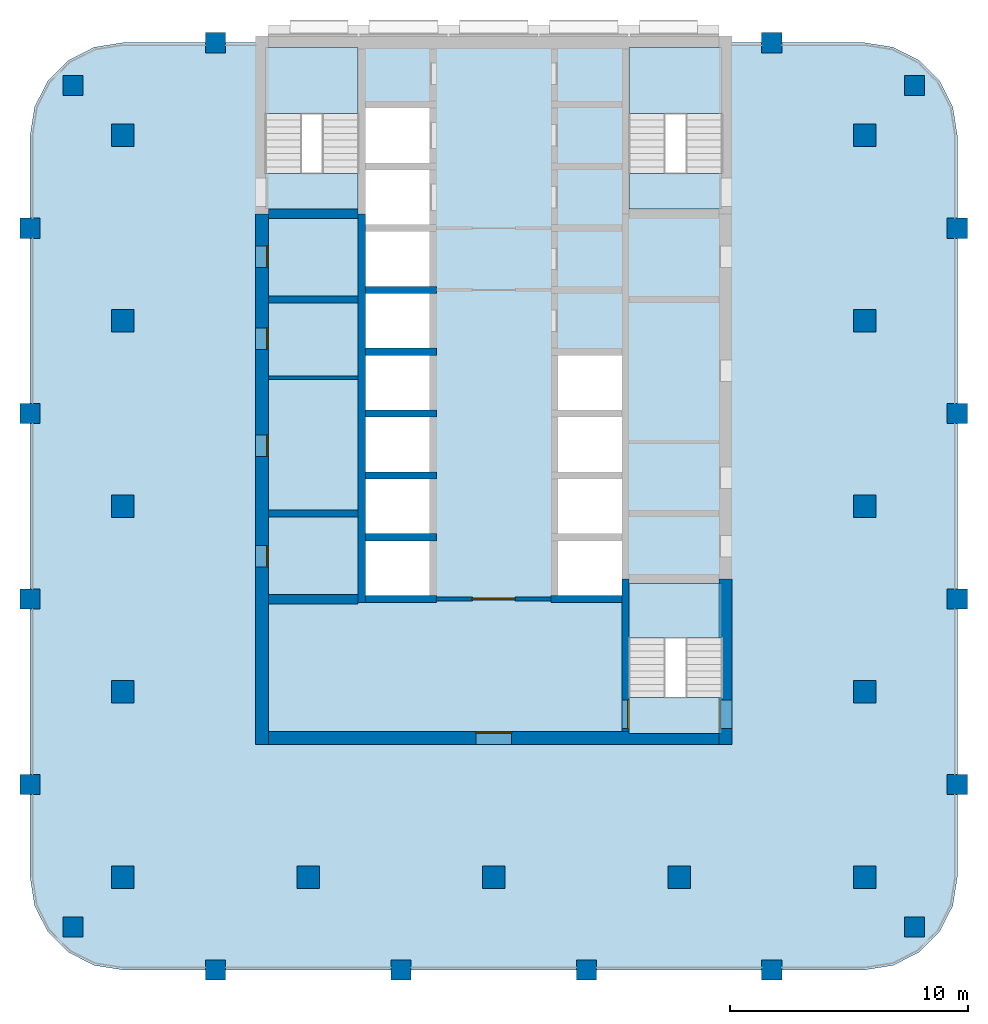
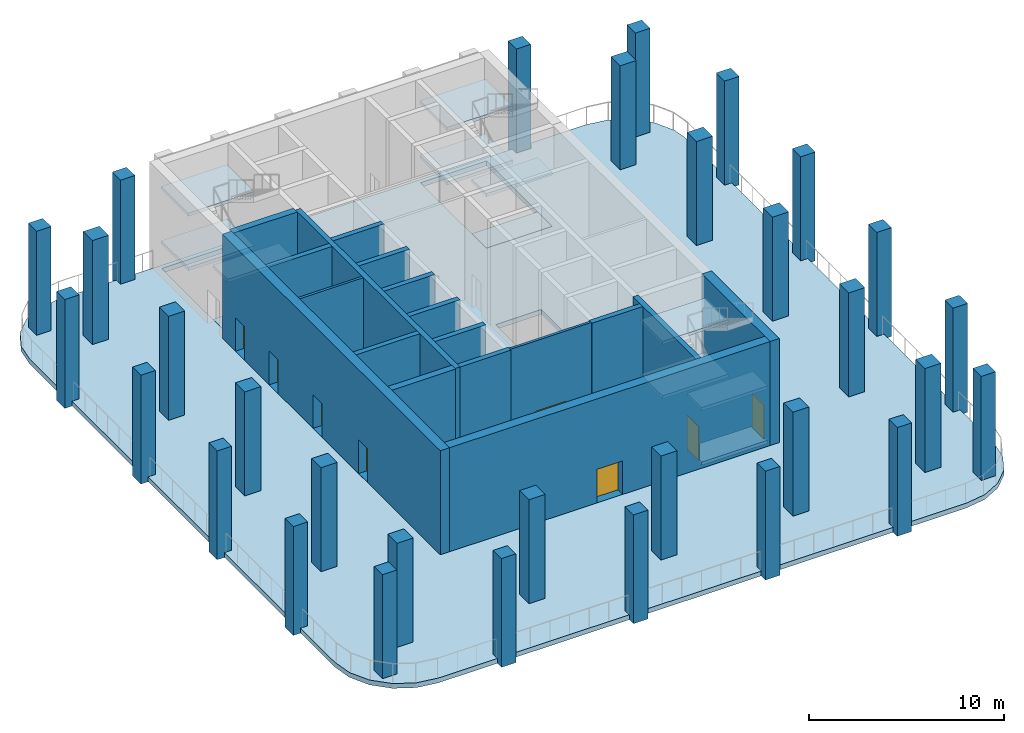
# One storey, part 1 of 10: 31 columns, 18 walls, 13 slabs, 8 doors, 8 openings, 3 elements without a shape of their own.
"""IFC4 building model written with IfcOpenShell, lengths in metres."""

from ifc_helpers import new_model, si_unit, direction, frame, frame_2d, origin, origin_2d, place, context, subcontext, project, spatial, polyline, rectangle, outline, extrude, material, layer, layer_set, material_profile, profile_set, type_object, element, fill, aggregate, save


model = new_model("IFC4")

# Units and contexts
model_context = context("Model", 3, precision=1e-05, world=origin(), true_north=direction((0.0, 1.0)))
body_context = subcontext(model_context, "Body", "Model", "MODEL_VIEW")
ifc_project = project(units=[si_unit("LENGTHUNIT", "METRE"), si_unit("AREAUNIT", "SQUARE_METRE"), si_unit("VOLUMEUNIT", "CUBIC_METRE"), si_unit("PLANEANGLEUNIT", "RADIAN"), si_unit("MASSUNIT", "GRAM", prefix="KILO")], contexts=[model_context])

# Site, building, storey
site_placement = place(None, origin())
site = spatial("IfcSite", under=ifc_project, at=site_placement, CompositionType="ELEMENT")
building_placement = place(site_placement, origin())
building = spatial("IfcBuilding", under=site, at=building_placement, Name="Ludao Terraces", CompositionType="ELEMENT")
storey_placement = place(building_placement, frame((0.0, 0.0, 116.89990234375)))
storey = spatial("IfcBuildingStorey", under=building, at=storey_placement, Name="L32", CompositionType="ELEMENT", Elevation=116.89990234375)

# Columns
ifc_material_1 = material(Name="Concrete C50", Category="concrete")
ifc_material_profile_1 = material_profile(ifc_material_1, rectangle(XDim=0.85009765625, YDim=0.85009765625, at=origin_2d()), Name="850 X 850")
ifc_profile_set_1 = profile_set([ifc_material_profile_1], Name="Concrete C50")
column_type_1 = type_object("IfcColumnType", Name="RC column 850x850 C50", PredefinedType="COLUMN", material=ifc_profile_set_1)
for number, where, z_axis, x_axis, name in (
    (1, (67.300048828125, 47.300048828125, -0.2998046875), (0.0, 0.0, 1.0), (1.0, 0.0, 0.0), "Column L32 C0057x0057"),
    (2, (102.699951171875, 47.300048828125, -0.2998046875), (0.0, 0.0, 1.0), (1.0, 0.0, 0.0), "Column L32 C0411x0057"),
    (3, (67.300048828125, 82.699951171875, -0.2998046875), (0.0, 0.0, 1.0), (1.0, 0.0, 0.0), "Column L32 C0057x0411"),
    (4, (102.699951171875, 82.699951171875, -0.2998046875), (0.0, 0.0, 1.0), (1.0, 0.0, 0.0), "Column L32 C0411x0411"),
    (5, (65.5, 53.300048828125, -0.2998046875), (0.0, 0.0, 1.0), (1.0, 0.0, 0.0), "Column L32 W0039x0117"),
    (6, (104.5, 53.300048828125, -0.2998046875), (0.0, 0.0, 1.0), (1.0, 0.0, 0.0), "Column L32 W0429x0117"),
    (7, (73.300048828125, 45.5, -0.2998046875), (0.0, 0.0, 1.0), (1.0, 0.0, 0.0), "Column L32 W0117x0039"),
    (8, (73.300048828125, 84.5, -0.2998046875), (0.0, 0.0, 1.0), (1.0, 0.0, 0.0), "Column L32 W0117x0429"),
    (9, (65.5, 61.10009765625, -0.2998046875), (0.0, 0.0, 1.0), (1.0, 0.0, 0.0), "Column L32 W0039x0195"),
    (10, (104.5, 61.10009765625, -0.2998046875), (0.0, 0.0, 1.0), (1.0, 0.0, 0.0), "Column L32 W0429x0195"),
    (11, (81.10009765625, 45.5, -0.2998046875), (0.0, 0.0, 1.0), (1.0, 0.0, 0.0), "Column L32 W0195x0039"),
    (12, (65.5, 68.89990234375, -0.2998046875), (0.0, 0.0, 1.0), (1.0, 0.0, 0.0), "Column L32 W0039x0273"),
    (13, (104.5, 68.89990234375, -0.2998046875), (0.0, 0.0, 1.0), (1.0, 0.0, 0.0), "Column L32 W0429x0273"),
    (14, (88.89990234375, 45.5, -0.2998046875), (0.0, 0.0, 1.0), (1.0, 0.0, 0.0), "Column L32 W0273x0039"),
    (15, (65.5, 76.699951171875, -0.2998046875), (0.0, 0.0, 1.0), (1.0, 0.0, 0.0), "Column L32 W0039x0351"),
    (16, (104.5, 76.699951171875, -0.2998046875), (0.0, 0.0, 1.0), (1.0, 0.0, 0.0), "Column L32 W0429x0351"),
    (17, (96.699951171875, 45.5, -0.2998046875), (0.0, 0.0, 1.0), (1.0, 0.0, 0.0), "Column L32 W0351x0039"),
    (18, (96.699951171875, 84.5, -0.2998046875), (0.0, 0.0, 1.0), (1.0, 0.0, 0.0), "Column L32 W0351x0429"),
):
    element("IfcColumn", number, at=place(storey_placement, frame(where, z_axis=z_axis, x_axis=x_axis)), inside=storey, type_object=column_type_1, Name=name, PredefinedType="COLUMN", context=body_context, shape_type="SweptSolid", body=[
        extrude(rectangle(XDim=0.85009765625, YDim=0.85009765625, at=origin_2d()), origin(), (0.0, 0.0, 1.0), 6.7998046875),
    ])
ifc_material_profile_2 = material_profile(ifc_material_1, rectangle(XDim=0.949951171875, YDim=0.949951171875, at=origin_2d()), Name="950 X 950")
ifc_profile_set_2 = profile_set([ifc_material_profile_2], Name="Concrete C50")
column_type_2 = type_object("IfcColumnType", Name="RC column 950x950 C50", PredefinedType="COLUMN", material=ifc_profile_set_2)
for number, where, z_axis, x_axis, name in (
    (19, (69.39990234375, 49.39990234375, -0.2998046875), (0.0, 0.0, 1.0), (1.0, 0.0, 0.0), "Column L32 S0078x0078"),
    (20, (69.39990234375, 57.199951171875, -0.2998046875), (0.0, 0.0, 1.0), (1.0, 0.0, 0.0), "Column L32 S0078x0156"),
    (21, (69.39990234375, 65.0, -0.2998046875), (0.0, 0.0, 1.0), (1.0, 0.0, 0.0), "Column L32 S0078x0234"),
    (22, (69.39990234375, 72.800048828125, -0.2998046875), (0.0, 0.0, 1.0), (1.0, 0.0, 0.0), "Column L32 S0078x0312"),
    (23, (69.39990234375, 80.60009765625, -0.2998046875), (0.0, 0.0, 1.0), (1.0, 0.0, 0.0), "Column L32 S0078x0390"),
    (24, (77.199951171875, 49.39990234375, -0.2998046875), (0.0, 0.0, 1.0), (1.0, 0.0, 0.0), "Column L32 S0156x0078"),
    (25, (85.0, 49.39990234375, -0.2998046875), (0.0, 0.0, 1.0), (1.0, 0.0, 0.0), "Column L32 S0234x0078"),
    (26, (92.800048828125, 49.39990234375, -0.2998046875), (0.0, 0.0, 1.0), (1.0, 0.0, 0.0), "Column L32 S0312x0078"),
    (27, (100.60009765625, 49.39990234375, -0.2998046875), (0.0, 0.0, 1.0), (1.0, 0.0, 0.0), "Column L32 S0390x0078"),
    (28, (100.60009765625, 57.199951171875, -0.2998046875), (0.0, 0.0, 1.0), (1.0, 0.0, 0.0), "Column L32 S0390x0156"),
    (29, (100.60009765625, 65.0, -0.2998046875), (0.0, 0.0, 1.0), (1.0, 0.0, 0.0), "Column L32 S0390x0234"),
    (30, (100.60009765625, 72.800048828125, -0.2998046875), (0.0, 0.0, 1.0), (1.0, 0.0, 0.0), "Column L32 S0390x0312"),
    (31, (100.60009765625, 80.60009765625, -0.2998046875), (0.0, 0.0, 1.0), (1.0, 0.0, 0.0), "Column L32 S0390x0390"),
):
    element("IfcColumn", number, at=place(storey_placement, frame(where, z_axis=z_axis, x_axis=x_axis)), inside=storey, type_object=column_type_2, Name=name, PredefinedType="COLUMN", context=body_context, shape_type="SweptSolid", body=[
        extrude(rectangle(XDim=0.949951171875, YDim=0.949951171875, at=origin_2d()), origin(), (0.0, 0.0, 1.0), 6.7998046875),
    ])

# Slab
ifc_material_2 = material(Name="Concrete C40", Category="concrete")
ifc_layer_1 = layer(ifc_material_2, 0.300048828125)
ifc_layer_set_1 = layer_set([ifc_layer_1], Name="Floor slab 300 C40")
slab_type_1 = type_object("IfcSlabType", Name="Floor slab 300 C40", PredefinedType="FLOOR", material=ifc_layer_set_1)
slab_1_placement = place(storey_placement, frame((0.0, 0.0, -0.2998046875)))
element("IfcSlab", 32, at=slab_1_placement, inside=storey, type_object=slab_type_1, Name="Slab L32", PredefinedType="FLOOR", context=body_context, shape_type="SweptSolid", body=[
    extrude(outline(polyline([(100.60009765625, 45.5), (101.80517578125, 45.69091796875), (102.892333984375, 46.244873046875), (103.755126953125, 47.107666015625), (104.30908203125, 48.19482421875), (104.5, 49.39990234375), (104.5, 80.60009765625), (104.30908203125, 81.80517578125), (103.755126953125, 82.892333984375), (102.892333984375, 83.755126953125), (101.80517578125, 84.30908203125), (100.60009765625, 84.5), (69.39990234375, 84.5), (68.19482421875, 84.30908203125), (67.107666015625, 83.755126953125), (66.244873046875, 82.892333984375), (65.69091796875, 81.80517578125), (65.5, 80.60009765625), (65.5, 49.39990234375), (65.69091796875, 48.19482421875), (66.244873046875, 47.107666015625), (67.107666015625, 46.244873046875), (68.19482421875, 45.69091796875), (69.39990234375, 45.5), (100.60009765625, 45.5)]), holes=[polyline([(79.60009765625, 61.25), (82.300048828125, 61.25), (82.300048828125, 63.550048828125), (79.60009765625, 63.550048828125), (79.60009765625, 61.25)]), polyline([(79.60009765625, 63.85009765625), (82.300048828125, 63.85009765625), (82.300048828125, 66.14990234375), (79.60009765625, 66.14990234375), (79.60009765625, 63.85009765625)]), polyline([(79.60009765625, 66.449951171875), (82.300048828125, 66.449951171875), (82.300048828125, 68.75), (79.60009765625, 68.75), (79.60009765625, 66.449951171875)]), polyline([(79.60009765625, 69.050048828125), (82.300048828125, 69.050048828125), (82.300048828125, 71.35009765625), (79.60009765625, 71.35009765625), (79.60009765625, 69.050048828125)]), polyline([(79.60009765625, 71.64990234375), (82.300048828125, 71.64990234375), (82.300048828125, 73.949951171875), (79.60009765625, 73.949951171875), (79.60009765625, 71.64990234375)]), polyline([(79.60009765625, 74.25), (82.300048828125, 74.25), (82.300048828125, 76.550048828125), (79.60009765625, 76.550048828125), (79.60009765625, 74.25)]), polyline([(79.60009765625, 76.85009765625), (82.300048828125, 76.85009765625), (82.300048828125, 79.14990234375), (79.60009765625, 79.14990234375), (79.60009765625, 76.85009765625)]), polyline([(79.60009765625, 79.449951171875), (82.300048828125, 79.449951171875), (82.300048828125, 81.75), (79.60009765625, 81.75), (79.60009765625, 79.449951171875)]), polyline([(87.699951171875, 61.25), (90.39990234375, 61.25), (90.39990234375, 63.550048828125), (87.699951171875, 63.550048828125), (87.699951171875, 61.25)]), polyline([(87.699951171875, 63.85009765625), (90.39990234375, 63.85009765625), (90.39990234375, 66.14990234375), (87.699951171875, 66.14990234375), (87.699951171875, 63.85009765625)]), polyline([(87.699951171875, 66.449951171875), (90.39990234375, 66.449951171875), (90.39990234375, 68.75), (87.699951171875, 68.75), (87.699951171875, 66.449951171875)]), polyline([(87.699951171875, 69.050048828125), (90.39990234375, 69.050048828125), (90.39990234375, 71.35009765625), (87.699951171875, 71.35009765625), (87.699951171875, 69.050048828125)]), polyline([(75.39990234375, 77.5), (79.300048828125, 77.5), (79.300048828125, 84.239990234375), (75.39990234375, 84.239990234375), (75.39990234375, 77.5)]), polyline([(90.699951171875, 77.5), (94.60009765625, 77.5), (94.60009765625, 84.239990234375), (90.699951171875, 84.239990234375), (90.699951171875, 77.5)]), polyline([(90.699951171875, 55.449951171875), (94.60009765625, 55.449951171875), (94.60009765625, 61.75), (90.699951171875, 61.75), (90.699951171875, 55.449951171875)])]), origin(), (0.0, 0.0, 1.0), 0.2998046875),
])

# Stair, slabs
stair_type = type_object("IfcStairType", Name="INT Stair", PredefinedType="HALF_TURN_STAIR", material=ifc_material_2)
stair_1_placement = place(storey_placement, origin())
stair_1 = element("IfcStair", 33, at=stair_1_placement, inside=storey, type_object=stair_type, Name="EXIT STAIR 1", PredefinedType="HALF_TURN_STAIR")
ifc_layer_2 = layer(ifc_material_2, 0.199951171875)
ifc_layer_set_2 = layer_set([ifc_layer_2], Name="INT Stair landing 200")
slab_type_2 = type_object("IfcSlabType", Name="INT Stair landing 200", PredefinedType="LANDING", material=ifc_layer_set_2)
slab_2_placement = place(storey_placement, frame((0.0, 0.0, 1.5)))
slab_2 = element("IfcSlab", 34, at=slab_2_placement, type_object=slab_type_2, Name="ST1 landing 1", PredefinedType="LANDING", context=body_context, shape_type="SweptSolid", body=[
    extrude(outline(polyline([(75.39990234375, 81.52001953125), (79.300048828125, 81.52001953125), (79.300048828125, 84.300048828125), (75.39990234375, 84.300048828125), (75.39990234375, 81.52001953125)])), origin(), (0.0, 0.0, 1.0), 0.2001953125),
])
slab_3_placement = place(storey_placement, frame((0.0, 0.0, 3.2001953125)))
slab_3 = element("IfcSlab", 35, at=slab_3_placement, type_object=slab_type_2, Name="ST1 landing 2", PredefinedType="LANDING", context=body_context, shape_type="SweptSolid", body=[
    extrude(outline(polyline([(75.39990234375, 77.5), (79.300048828125, 77.5), (79.300048828125, 79.0), (75.39990234375, 79.0), (75.39990234375, 77.5)])), origin(), (0.0, 0.0, 1.0), 0.199951171875),
])
slab_4_placement = place(storey_placement, frame((0.0, 0.0, 4.900146484375)))
slab_4 = element("IfcSlab", 36, at=slab_4_placement, type_object=slab_type_2, Name="ST1 landing 3", PredefinedType="LANDING", context=body_context, shape_type="SweptSolid", body=[
    extrude(outline(polyline([(75.39990234375, 81.52001953125), (79.300048828125, 81.52001953125), (79.300048828125, 84.300048828125), (75.39990234375, 84.300048828125), (75.39990234375, 81.52001953125)])), origin(), (0.0, 0.0, 1.0), 0.199951171875),
])
slab_5_placement = place(storey_placement, frame((0.0, 0.0, -0.199951171875)))
slab_5 = element("IfcSlab", 37, at=slab_5_placement, type_object=slab_type_2, Name="ST1 landing 4", PredefinedType="LANDING", context=body_context, shape_type="SweptSolid", body=[
    extrude(outline(polyline([(75.39990234375, 77.5), (79.300048828125, 77.5), (79.300048828125, 79.0), (75.39990234375, 79.0), (75.39990234375, 77.5)])), origin(), (0.0, 0.0, 1.0), 0.199951171875),
])
aggregate(stair_1, [slab_2, slab_3, slab_4, slab_5])

stair_2_placement = place(storey_placement, origin())
stair_2 = element("IfcStair", 38, at=stair_2_placement, inside=storey, type_object=stair_type, Name="EXIT STAIR 2", PredefinedType="HALF_TURN_STAIR")
slab_6_placement = place(storey_placement, frame((0.0, 0.0, 1.5)))
slab_6 = element("IfcSlab", 39, at=slab_6_placement, type_object=slab_type_2, Name="ST2 landing 1", PredefinedType="LANDING", context=body_context, shape_type="SweptSolid", body=[
    extrude(outline(polyline([(90.699951171875, 81.52001953125), (94.60009765625, 81.52001953125), (94.60009765625, 84.300048828125), (90.699951171875, 84.300048828125), (90.699951171875, 81.52001953125)])), origin(), (0.0, 0.0, 1.0), 0.2001953125),
])
slab_7_placement = place(storey_placement, frame((0.0, 0.0, 3.2001953125)))
slab_7 = element("IfcSlab", 40, at=slab_7_placement, type_object=slab_type_2, Name="ST2 landing 2", PredefinedType="LANDING", context=body_context, shape_type="SweptSolid", body=[
    extrude(outline(polyline([(90.699951171875, 77.5), (94.60009765625, 77.5), (94.60009765625, 79.0), (90.699951171875, 79.0), (90.699951171875, 77.5)])), origin(), (0.0, 0.0, 1.0), 0.199951171875),
])
slab_8_placement = place(storey_placement, frame((0.0, 0.0, 4.900146484375)))
slab_8 = element("IfcSlab", 41, at=slab_8_placement, type_object=slab_type_2, Name="ST2 landing 3", PredefinedType="LANDING", context=body_context, shape_type="SweptSolid", body=[
    extrude(outline(polyline([(90.699951171875, 81.52001953125), (94.60009765625, 81.52001953125), (94.60009765625, 84.300048828125), (90.699951171875, 84.300048828125), (90.699951171875, 81.52001953125)])), origin(), (0.0, 0.0, 1.0), 0.199951171875),
])
slab_9_placement = place(storey_placement, frame((0.0, 0.0, -0.199951171875)))
slab_9 = element("IfcSlab", 42, at=slab_9_placement, type_object=slab_type_2, Name="ST2 landing 4", PredefinedType="LANDING", context=body_context, shape_type="SweptSolid", body=[
    extrude(outline(polyline([(90.699951171875, 77.5), (94.60009765625, 77.5), (94.60009765625, 79.0), (90.699951171875, 79.0), (90.699951171875, 77.5)])), origin(), (0.0, 0.0, 1.0), 0.199951171875),
])
aggregate(stair_2, [slab_6, slab_7, slab_8, slab_9])

stair_3_placement = place(storey_placement, origin())
stair_3 = element("IfcStair", 43, at=stair_3_placement, inside=storey, type_object=stair_type, Name="EXIT STAIR 3", PredefinedType="HALF_TURN_STAIR")
slab_10_placement = place(storey_placement, frame((0.0, 0.0, 1.5)))
slab_10 = element("IfcSlab", 44, at=slab_10_placement, type_object=slab_type_2, Name="ST3 landing 1", PredefinedType="LANDING", context=body_context, shape_type="SweptSolid", body=[
    extrude(outline(polyline([(90.699951171875, 59.469970703125), (94.60009765625, 59.469970703125), (94.60009765625, 61.75), (90.699951171875, 61.75), (90.699951171875, 59.469970703125)])), origin(), (0.0, 0.0, 1.0), 0.2001953125),
])
slab_11_placement = place(storey_placement, frame((0.0, 0.0, 3.2001953125)))
slab_11 = element("IfcSlab", 45, at=slab_11_placement, type_object=slab_type_2, Name="ST3 landing 2", PredefinedType="LANDING", context=body_context, shape_type="SweptSolid", body=[
    extrude(outline(polyline([(90.699951171875, 55.449951171875), (94.60009765625, 55.449951171875), (94.60009765625, 56.949951171875), (90.699951171875, 56.949951171875), (90.699951171875, 55.449951171875)])), origin(), (0.0, 0.0, 1.0), 0.199951171875),
])
slab_12_placement = place(storey_placement, frame((0.0, 0.0, 4.900146484375)))
slab_12 = element("IfcSlab", 46, at=slab_12_placement, type_object=slab_type_2, Name="ST3 landing 3", PredefinedType="LANDING", context=body_context, shape_type="SweptSolid", body=[
    extrude(outline(polyline([(90.699951171875, 59.469970703125), (94.60009765625, 59.469970703125), (94.60009765625, 61.75), (90.699951171875, 61.75), (90.699951171875, 59.469970703125)])), origin(), (0.0, 0.0, 1.0), 0.199951171875),
])
slab_13_placement = place(storey_placement, frame((0.0, 0.0, -0.199951171875)))
slab_13 = element("IfcSlab", 47, at=slab_13_placement, type_object=slab_type_2, Name="ST3 landing 4", PredefinedType="LANDING", context=body_context, shape_type="SweptSolid", body=[
    extrude(outline(polyline([(90.699951171875, 55.449951171875), (94.60009765625, 55.449951171875), (94.60009765625, 56.949951171875), (90.699951171875, 56.949951171875), (90.699951171875, 55.449951171875)])), origin(), (0.0, 0.0, 1.0), 0.199951171875),
])
aggregate(stair_3, [slab_10, slab_11, slab_12, slab_13])

# Wall, openings, doors
ifc_material_3 = material(Name="Concrete C60", Category="concrete")
ifc_layer_3 = layer(ifc_material_3, 0.550048828125)
ifc_layer_set_3 = layer_set([ifc_layer_3], Name="Core wall 550 C60")
wall_type_1 = type_object("IfcWallType", Name="Core wall 550 C60", PredefinedType="SOLIDWALL", material=ifc_layer_set_3)
wall_1_placement = place(storey_placement, frame((75.25, 54.97509765625, -0.2998046875), z_axis=(0.0, 0.0, 1.0), x_axis=(0.0, 1.0, 0.0)))
wall_1 = element("IfcWall", 48, at=wall_1_placement, inside=storey, type_object=wall_type_1, Name="Core wall L32 outer-W", PredefinedType="SOLIDWALL", context=body_context, shape_type="SweptSolid", body=[
    extrude(rectangle(XDim=22.324951171875, YDim=0.550048828125, at=frame_2d((11.16259765625, 0.0))), origin(), (0.0, 0.0, 1.0), 6.7998046875),
])
opening_1_placement = place(wall_1_placement, frame((7.47509765625, 0.0, 0.300048828125)))
opening_1 = element("IfcOpeningElement", 49, at=opening_1_placement, cuts=wall_1, Name="Opening L32-005", PredefinedType="OPENING", context=body_context, shape_type="SweptSolid", body=[
    extrude(rectangle(XDim=0.89990234375, YDim=2.10009765625, at=frame_2d((0.449951171875, 1.050048828125))), frame((0.0, 0.28515625, 0.0), z_axis=(0.0, -1.0, 0.0), x_axis=(1.0, 0.0, 0.0)), (0.0, 0.0, 1.0), 0.570068359375),
])
opening_2_placement = place(wall_1_placement, frame((12.125, 0.0, 0.300048828125)))
opening_2 = element("IfcOpeningElement", 50, at=opening_2_placement, cuts=wall_1, Name="Opening L32-008", PredefinedType="OPENING", context=body_context, shape_type="SweptSolid", body=[
    extrude(rectangle(XDim=0.89990234375, YDim=2.10009765625, at=frame_2d((0.449951171875, 1.050048828125))), frame((0.0, 0.28515625, 0.0), z_axis=(0.0, -1.0, 0.0), x_axis=(1.0, 0.0, 0.0)), (0.0, 0.0, 1.0), 0.570068359375),
])
opening_3_placement = place(wall_1_placement, frame((16.625, 0.0, 0.300048828125)))
opening_3 = element("IfcOpeningElement", 51, at=opening_3_placement, cuts=wall_1, Name="Opening L32-010", PredefinedType="OPENING", context=body_context, shape_type="SweptSolid", body=[
    extrude(rectangle(XDim=0.89990234375, YDim=2.10009765625, at=frame_2d((0.449951171875, 1.050048828125))), frame((0.0, 0.28515625, 0.0), z_axis=(0.0, -1.0, 0.0), x_axis=(1.0, 0.0, 0.0)), (0.0, 0.0, 1.0), 0.570068359375),
])
opening_4_placement = place(wall_1_placement, frame((20.074951171875, 0.0, 0.300048828125)))
opening_4 = element("IfcOpeningElement", 52, at=opening_4_placement, cuts=wall_1, Name="Opening L32-014", PredefinedType="OPENING", context=body_context, shape_type="SweptSolid", body=[
    extrude(rectangle(XDim=0.89990234375, YDim=2.10009765625, at=frame_2d((0.449951171875, 1.050048828125))), frame((0.0, 0.28515625, 0.0), z_axis=(0.0, -1.0, 0.0), x_axis=(1.0, 0.0, 0.0)), (0.0, 0.0, 1.0), 0.570068359375),
])
ifc_material_4 = material(Name="Steel Q235", Category="steel")
door_type_1 = type_object("IfcDoorType", Name="INT Riser door 900", OperationType="SINGLE_SWING_LEFT", PredefinedType="DOOR", material=ifc_material_4)
door_1_placement = place(opening_1_placement, origin())
door_1 = element("IfcDoor", 53, at=door_1_placement, inside=storey, type_object=door_type_1, Name="DOOR 005", OperationType="SINGLE_SWING_RIGHT", OverallHeight=2.10009765625, OverallWidth=0.89990234375, PredefinedType="DOOR", context=body_context, shape_type="SweptSolid", body=[
    extrude(rectangle(XDim=0.89990234375, YDim=2.10009765625, at=frame_2d((0.449951171875, 1.050048828125))), frame((0.0, -0.2099609375, 0.0), z_axis=(0.0, -1.0, 0.0), x_axis=(1.0, 0.0, 0.0)), (0.0, 0.0, 1.0), 0.050048828125),
])
fill(opening_1, door_1)
door_2_placement = place(opening_4_placement, origin())
door_2 = element("IfcDoor", 54, at=door_2_placement, inside=storey, type_object=door_type_1, Name="DOOR 014", OperationType="SINGLE_SWING_RIGHT", OverallHeight=2.10009765625, OverallWidth=0.89990234375, PredefinedType="DOOR", context=body_context, shape_type="SweptSolid", body=[
    extrude(rectangle(XDim=0.89990234375, YDim=2.10009765625, at=frame_2d((0.449951171875, 1.050048828125))), frame((0.0, -0.2099609375, 0.0), z_axis=(0.0, -1.0, 0.0), x_axis=(1.0, 0.0, 0.0)), (0.0, 0.0, 1.0), 0.050048828125),
])
fill(opening_4, door_2)
ifc_material_5 = material(Name="Timber door leaf", Category="wood")
door_type_2 = type_object("IfcDoorType", Name="INT Room door 900", OperationType="SINGLE_SWING_LEFT", PredefinedType="DOOR", material=ifc_material_5)
door_3_placement = place(opening_2_placement, origin())
door_3 = element("IfcDoor", 55, at=door_3_placement, inside=storey, type_object=door_type_2, Name="DOOR 008", OperationType="SINGLE_SWING_RIGHT", OverallHeight=2.10009765625, OverallWidth=0.89990234375, PredefinedType="DOOR", context=body_context, shape_type="SweptSolid", body=[
    extrude(rectangle(XDim=0.89990234375, YDim=2.10009765625, at=frame_2d((0.449951171875, 1.050048828125))), frame((0.0, -0.2099609375, 0.0), z_axis=(0.0, -1.0, 0.0), x_axis=(1.0, 0.0, 0.0)), (0.0, 0.0, 1.0), 0.050048828125),
])
fill(opening_2, door_3)
door_4_placement = place(opening_3_placement, origin())
door_4 = element("IfcDoor", 56, at=door_4_placement, inside=storey, type_object=door_type_2, Name="DOOR 010", OperationType="SINGLE_SWING_LEFT", OverallHeight=2.10009765625, OverallWidth=0.89990234375, PredefinedType="DOOR", context=body_context, shape_type="SweptSolid", body=[
    extrude(rectangle(XDim=0.89990234375, YDim=2.10009765625, at=frame_2d((0.449951171875, 1.050048828125))), frame((0.0, -0.2099609375, 0.0), z_axis=(0.0, -1.0, 0.0), x_axis=(1.0, 0.0, 0.0)), (0.0, 0.0, 1.0), 0.050048828125),
])
fill(opening_3, door_4)

# Wall, opening, door
wall_2_placement = place(storey_placement, frame((94.75, 54.97509765625, -0.2998046875), z_axis=(0.0, 0.0, 1.0), x_axis=(0.0, 1.0, 0.0)))
wall_2 = element("IfcWall", 57, at=wall_2_placement, inside=storey, type_object=wall_type_1, Name="Core wall L32 outer-E-S3", PredefinedType="SOLIDWALL", context=body_context, shape_type="SweptSolid", body=[
    extrude(rectangle(XDim=6.974853515625, YDim=0.550048828125, at=frame_2d((3.4873046875, 0.0))), origin(), (0.0, 0.0, 1.0), 6.7998046875),
])
opening_5_placement = place(wall_2_placement, frame((0.675048828125, 0.0, 0.300048828125)))
opening_5 = element("IfcOpeningElement", 58, at=opening_5_placement, cuts=wall_2, Name="Opening L32-003", PredefinedType="OPENING", context=body_context, shape_type="SweptSolid", body=[
    extrude(rectangle(XDim=1.199951171875, YDim=2.10009765625, at=frame_2d((0.60009765625, 1.050048828125))), frame((0.0, 0.28515625, 0.0), z_axis=(0.0, -1.0, 0.0), x_axis=(1.0, 0.0, 0.0)), (0.0, 0.0, 1.0), 0.570068359375),
])
door_type_3 = type_object("IfcDoorType", Name="INT Stair door 1200", OperationType="DOUBLE_DOOR_SINGLE_SWING", PredefinedType="DOOR", material=ifc_material_4)
door_5_placement = place(opening_5_placement, origin())
door_5 = element("IfcDoor", 59, at=door_5_placement, inside=storey, type_object=door_type_3, Name="DOOR 003", OperationType="DOUBLE_DOOR_SINGLE_SWING", OverallHeight=2.10009765625, OverallWidth=1.199951171875, PredefinedType="DOOR", context=body_context, shape_type="SweptSolid", body=[
    extrude(rectangle(XDim=1.199951171875, YDim=2.10009765625, at=frame_2d((0.60009765625, 1.050048828125))), frame((0.0, 0.26025390625, 0.0), z_axis=(0.0, -1.0, 0.0), x_axis=(1.0, 0.0, 0.0)), (0.0, 0.0, 1.0), 0.050048828125),
])
fill(opening_5, door_5)

wall_3_placement = place(storey_placement, frame((75.52490234375, 55.25, -0.2998046875), z_axis=(0.0, 0.0, 1.0), x_axis=(1.0, 0.0, 0.0)))
wall_3 = element("IfcWall", 60, at=wall_3_placement, inside=storey, type_object=wall_type_1, Name="Core wall L32 outer-S", PredefinedType="SOLIDWALL", context=body_context, shape_type="SweptSolid", body=[
    extrude(rectangle(XDim=18.9501953125, YDim=0.550048828125, at=frame_2d((9.47509765625, 0.0))), origin(), (0.0, 0.0, 1.0), 6.7998046875),
])
opening_6_placement = place(wall_3_placement, frame((8.72509765625, 0.0, 0.300048828125)))
opening_6 = element("IfcOpeningElement", 61, at=opening_6_placement, cuts=wall_3, Name="Opening L32-001", PredefinedType="OPENING", context=body_context, shape_type="SweptSolid", body=[
    extrude(rectangle(XDim=1.5, YDim=2.10009765625, at=frame_2d((0.75, 1.050048828125))), frame((0.0, 0.28515625, 0.0), z_axis=(0.0, -1.0, 0.0), x_axis=(1.0, 0.0, 0.0)), (0.0, 0.0, 1.0), 0.570068359375),
])
door_type_4 = type_object("IfcDoorType", Name="INT Lobby door 1500", OperationType="DOUBLE_DOOR_SINGLE_SWING", PredefinedType="DOOR", material=ifc_material_4)
door_6_placement = place(opening_6_placement, origin())
door_6 = element("IfcDoor", 62, at=door_6_placement, inside=storey, type_object=door_type_4, Name="DOOR 001", OperationType="DOUBLE_DOOR_SINGLE_SWING", OverallHeight=2.10009765625, OverallWidth=1.5, PredefinedType="DOOR", context=body_context, shape_type="SweptSolid", body=[
    extrude(rectangle(XDim=1.5, YDim=2.10009765625, at=frame_2d((0.75, 1.050048828125))), frame((0.0, 0.26025390625, 0.0), z_axis=(0.0, -1.0, 0.0), x_axis=(1.0, 0.0, 0.0)), (0.0, 0.0, 1.0), 0.050048828125),
])
fill(opening_6, door_6)

ifc_material_6 = material(Name="Fire-rated gypsum plasterboard", Category="gypsum")
ifc_layer_4 = layer(ifc_material_6, 0.012451171875, Category="gypsum")
ifc_material_7 = material(Name="Mineral wool")
ifc_layer_5 = layer(ifc_material_7, 0.10009765625, Name="insulation")
ifc_layer_6 = layer(ifc_material_4, 0.02490234375, Name="stud")
ifc_layer_7 = layer(ifc_material_6, 0.012451171875, Category="gypsum")
ifc_layer_set_4 = layer_set([ifc_layer_4, ifc_layer_5, ifc_layer_6, ifc_layer_7], Name="INT Core partition 150")
wall_type_2 = type_object("IfcWallType", Name="INT Core partition 150", PredefinedType="PARTITIONING", material=ifc_layer_set_4)
wall_4_placement = place(storey_placement, frame((82.60009765625, 61.10009765625, 0.0), z_axis=(0.0, 0.0, 1.0), x_axis=(1.0, 0.0, 0.0)))
wall_4 = element("IfcWall", 63, at=wall_4_placement, inside=storey, type_object=wall_type_2, Name="PW-L32-PW000", PredefinedType="PARTITIONING", context=body_context, shape_type="SweptSolid", body=[
    extrude(rectangle(XDim=4.800048828125, YDim=0.14990234375, at=frame_2d((2.39990234375, 0.0))), origin(), (0.0, 0.0, 1.0), 6.5),
])
opening_7_placement = place(wall_4_placement, frame((1.5, 0.0, 0.0)))
opening_7 = element("IfcOpeningElement", 64, at=opening_7_placement, cuts=wall_4, Name="Opening L32-004", PredefinedType="OPENING", context=body_context, shape_type="SweptSolid", body=[
    extrude(rectangle(XDim=1.800048828125, YDim=2.10009765625, at=frame_2d((0.89990234375, 1.050048828125))), frame((0.0, 0.0849609375, 0.0), z_axis=(0.0, -1.0, 0.0), x_axis=(1.0, 0.0, 0.0)), (0.0, 0.0, 1.0), 0.169921875),
])
door_type_5 = type_object("IfcDoorType", Name="INT Fire lobby door 1800", OperationType="DOUBLE_DOOR_SINGLE_SWING", PredefinedType="DOOR", material=ifc_material_4)
door_7_placement = place(opening_7_placement, origin())
door_7 = element("IfcDoor", 65, at=door_7_placement, inside=storey, type_object=door_type_5, Name="DOOR 004", OperationType="DOUBLE_DOOR_SINGLE_SWING", OverallHeight=2.10009765625, OverallWidth=1.800048828125, PredefinedType="DOOR", context=body_context, shape_type="SweptSolid", body=[
    extrude(rectangle(XDim=1.800048828125, YDim=2.10009765625, at=frame_2d((0.89990234375, 1.050048828125))), frame((0.0, 0.02490234375, 0.0), z_axis=(0.0, -1.0, 0.0), x_axis=(1.0, 0.0, 0.0)), (0.0, 0.0, 1.0), 0.050048828125),
])
fill(opening_7, door_7)

# Walls
wall_5_placement = place(storey_placement, frame((75.525146484375, 70.39990234375, 0.0), z_axis=(0.0, 0.0, 1.0), x_axis=(1.0, 0.0, 0.0)))
element("IfcWall", 66, at=wall_5_placement, inside=storey, type_object=wall_type_2, Name="PW-L32-PW002", PredefinedType="PARTITIONING", context=body_context, shape_type="SweptSolid", body=[
    extrude(rectangle(XDim=3.77490234375, YDim=0.14990234375, at=frame_2d((1.887451171875, 0.0))), origin(), (0.0, 0.0, 1.0), 6.5),
])
ifc_material_8 = material(Name="Concrete C55", Category="concrete")
ifc_layer_8 = layer(ifc_material_8, 0.300048828125)
ifc_layer_set_5 = layer_set([ifc_layer_8], Name="Shaft wall 300 C55")
wall_type_3 = type_object("IfcWallType", Name="Shaft wall 300 C55", PredefinedType="SOLIDWALL", material=ifc_layer_set_5)
wall_6_placement = place(storey_placement, frame((79.449951171875, 60.949951171875, -0.2998046875), z_axis=(0.0, 0.0, 1.0), x_axis=(0.0, 1.0, 0.0)))
element("IfcWall", 67, at=wall_6_placement, inside=storey, type_object=wall_type_3, Name="Core wall L32 back-W", PredefinedType="SOLIDWALL", context=body_context, shape_type="SweptSolid", body=[
    extrude(rectangle(XDim=16.35009765625, YDim=0.300048828125, at=frame_2d((8.175048828125, 0.0))), origin(), (0.0, 0.0, 1.0), 6.7998046875),
])

# Wall, opening, door
wall_7_placement = place(storey_placement, frame((90.550048828125, 55.52490234375, -0.2998046875), z_axis=(0.0, 0.0, 1.0), x_axis=(0.0, 1.0, 0.0)))
wall_7 = element("IfcWall", 68, at=wall_7_placement, inside=storey, type_object=wall_type_3, Name="Core wall L32 back-E-S3", PredefinedType="SOLIDWALL", context=body_context, shape_type="SweptSolid", body=[
    extrude(rectangle(XDim=6.425048828125, YDim=0.300048828125, at=frame_2d((3.21240234375, 0.0))), origin(), (0.0, 0.0, 1.0), 6.7998046875),
])
opening_8_placement = place(wall_7_placement, frame((0.125, 0.0, 0.300048828125)))
opening_8 = element("IfcOpeningElement", 69, at=opening_8_placement, cuts=wall_7, Name="Opening L32-002", PredefinedType="OPENING", context=body_context, shape_type="SweptSolid", body=[
    extrude(rectangle(XDim=1.199951171875, YDim=2.10009765625, at=frame_2d((0.60009765625, 1.050048828125))), frame((0.0, 0.16015625, 0.0), z_axis=(0.0, -1.0, 0.0), x_axis=(1.0, 0.0, 0.0)), (0.0, 0.0, 1.0), 0.320068359375),
])
door_8_placement = place(opening_8_placement, origin())
door_8 = element("IfcDoor", 70, at=door_8_placement, inside=storey, type_object=door_type_3, Name="DOOR 002", OperationType="DOUBLE_DOOR_SINGLE_SWING", OverallHeight=2.10009765625, OverallWidth=1.199951171875, PredefinedType="DOOR", context=body_context, shape_type="SweptSolid", body=[
    extrude(rectangle(XDim=1.199951171875, YDim=2.10009765625, at=frame_2d((0.60009765625, 1.050048828125))), frame((0.0, -0.0849609375, 0.0), z_axis=(0.0, -1.0, 0.0), x_axis=(1.0, 0.0, 0.0)), (0.0, 0.0, 1.0), 0.050048828125),
])
fill(opening_8, door_8)

# Walls
for number, where, z_axis, x_axis, name in (
    (71, (79.60009765625, 61.10009765625, -0.2998046875), (0.0, 0.0, 1.0), (1.0, 0.0, 0.0), "Core wall L32 div-W1"),
    (72, (79.60009765625, 63.699951171875, -0.2998046875), (0.0, 0.0, 1.0), (1.0, 0.0, 0.0), "Core wall L32 div-W2"),
    (73, (79.60009765625, 66.300048828125, -0.2998046875), (0.0, 0.0, 1.0), (1.0, 0.0, 0.0), "Core wall L32 div-W3"),
    (74, (79.60009765625, 68.89990234375, -0.2998046875), (0.0, 0.0, 1.0), (1.0, 0.0, 0.0), "Core wall L32 div-W4"),
    (75, (79.60009765625, 71.5, -0.2998046875), (0.0, 0.0, 1.0), (1.0, 0.0, 0.0), "Core wall L32 div-W5"),
    (76, (79.60009765625, 74.10009765625, -0.2998046875), (0.0, 0.0, 1.0), (1.0, 0.0, 0.0), "Core wall L32 div-W6"),
    (77, (87.39990234375, 61.10009765625, -0.2998046875), (0.0, 0.0, 1.0), (1.0, 0.0, 0.0), "Core wall L32 div-E1"),
):
    element("IfcWall", number, at=place(storey_placement, frame(where, z_axis=z_axis, x_axis=x_axis)), inside=storey, type_object=wall_type_3, Name=name, PredefinedType="SOLIDWALL", context=body_context, shape_type="SweptSolid", body=[
        extrude(rectangle(XDim=3.0, YDim=0.300048828125, at=frame_2d((1.5, 0.0))), origin(), (0.0, 0.0, 1.0), 6.7998046875),
    ])
for number, where, z_axis, x_axis, name in (
    (78, (75.52490234375, 64.699951171875, -0.2998046875), (0.0, 0.0, 1.0), (1.0, 0.0, 0.0), "Core wall L32 riser-a-W"),
    (79, (75.52490234375, 73.699951171875, -0.2998046875), (0.0, 0.0, 1.0), (1.0, 0.0, 0.0), "Core wall L32 riser-b-W"),
):
    element("IfcWall", number, at=place(storey_placement, frame(where, z_axis=z_axis, x_axis=x_axis)), inside=storey, type_object=wall_type_3, Name=name, PredefinedType="SOLIDWALL", context=body_context, shape_type="SweptSolid", body=[
        extrude(rectangle(XDim=3.775146484375, YDim=0.300048828125, at=frame_2d((1.8876953125, 0.0))), origin(), (0.0, 0.0, 1.0), 6.7998046875),
    ])
ifc_layer_9 = layer(ifc_material_8, 0.39990234375)
ifc_layer_set_6 = layer_set([ifc_layer_9], Name="Shaft wall 400 C55")
wall_type_4 = type_object("IfcWallType", Name="Shaft wall 400 C55", PredefinedType="SOLIDWALL", material=ifc_layer_set_6)
for number, where, z_axis, x_axis, name in (
    (80, (75.52490234375, 61.10009765625, -0.2998046875), (0.0, 0.0, 1.0), (1.0, 0.0, 0.0), "Core wall L32 hall-W"),
    (81, (75.52490234375, 77.300048828125, -0.2998046875), (0.0, 0.0, 1.0), (1.0, 0.0, 0.0), "Core wall L32 stair-W"),
):
    element("IfcWall", number, at=place(storey_placement, frame(where, z_axis=z_axis, x_axis=x_axis)), inside=storey, type_object=wall_type_4, Name=name, PredefinedType="SOLIDWALL", context=body_context, shape_type="SweptSolid", body=[
        extrude(rectangle(XDim=3.775146484375, YDim=0.39990234375, at=frame_2d((1.8876953125, 0.0))), origin(), (0.0, 0.0, 1.0), 6.7998046875),
    ])

save(model, "model.ifc")
